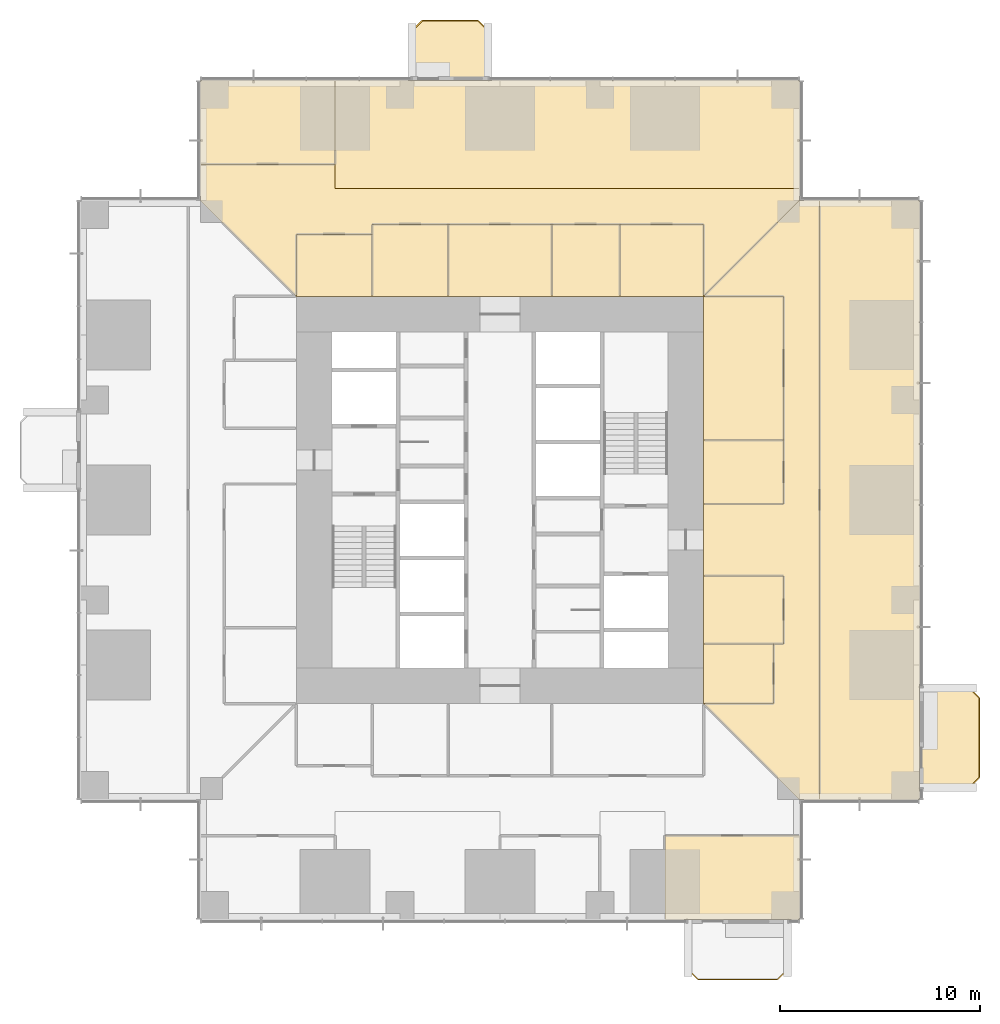
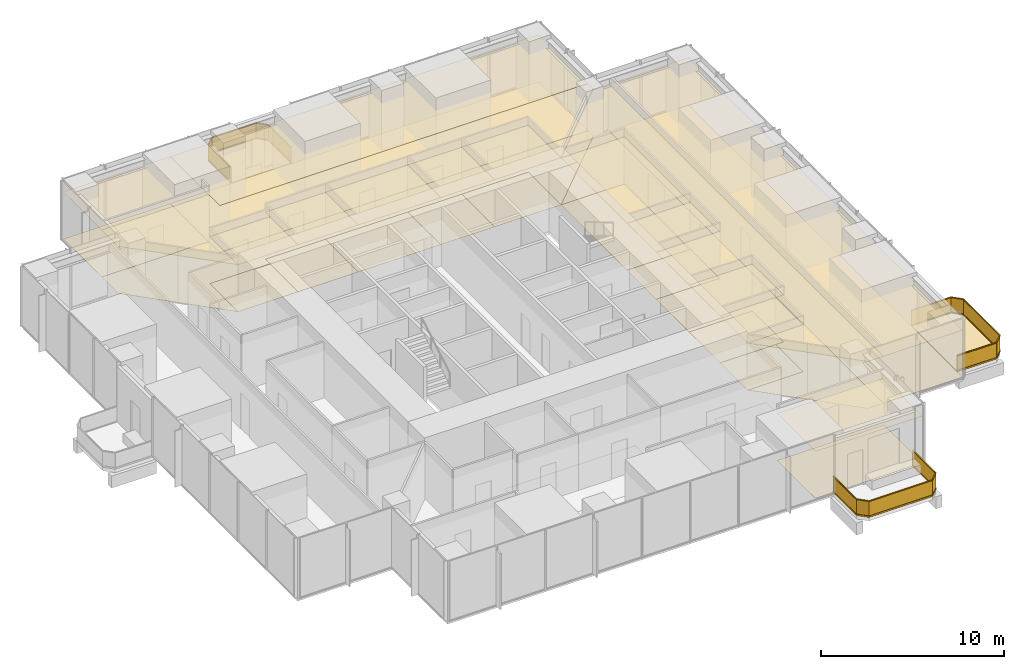
# One storey, part 14 of 15: 32 coverings, 3 railings.
"""IFC4 building model written with IfcOpenShell, lengths in metres."""

from ifc_helpers import new_model, si_unit, direction, frame, origin, origin_2d, place, context, subcontext, project, spatial, polyline, rectangle, outline, extrude, material, layer, layer_set, type_object, element, save


model = new_model("IFC4")

# Units and contexts
model_context = context("Model", 3, precision=1e-05, world=origin(), true_north=direction((0.0, 1.0)))
body_context = subcontext(model_context, "Body", "Model", "MODEL_VIEW")
ifc_project = project(units=[si_unit("LENGTHUNIT", "METRE"), si_unit("AREAUNIT", "SQUARE_METRE"), si_unit("VOLUMEUNIT", "CUBIC_METRE"), si_unit("PLANEANGLEUNIT", "RADIAN"), si_unit("MASSUNIT", "GRAM", prefix="KILO")], contexts=[model_context])

# Site, building, storey
site_placement = place(None, origin())
site = spatial("IfcSite", under=ifc_project, at=site_placement, CompositionType="ELEMENT")
building_placement = place(site_placement, origin())
building = spatial("IfcBuilding", under=site, at=building_placement, Name="Svetlomir Tower", CompositionType="ELEMENT")
storey_placement = place(building_placement, frame((0.0, 0.0, 26.5)))
storey = spatial("IfcBuildingStorey", under=building, at=storey_placement, Name="L05", CompositionType="ELEMENT", Elevation=26.5)

# Railings
ifc_material_1 = material(Name="Bronze anodised aluminium and laminated glass", Category="aluminium")
railing_type = type_object("IfcRailingType", Name="BALCONY GUARD GR1 1100", PredefinedType="GUARDRAIL", material=ifc_material_1)
railing_1_placement = place(storey_placement, frame((30.39990234375, 0.0, 0.0)))
element("IfcRailing", 1, at=railing_1_placement, inside=storey, type_object=railing_type, Name="Balcony guard S L05", PredefinedType="GUARDRAIL", context=body_context, shape_type="SweptSolid", body=[
    extrude(rectangle(XDim=0.06005859375, YDim=0.10009765625, at=origin_2d()), frame((0.0, 0.0, 0.050048828125), z_axis=(0.0, -1.0, 0.0), x_axis=(1.0, 0.0, 0.0)), (0.0, 0.0, 1.0), 2.5),
    extrude(rectangle(XDim=0.021484375, YDim=0.960205078125, at=origin_2d()), frame((0.0, 0.0, 0.580078125), z_axis=(0.0, -1.0, 0.0), x_axis=(1.0, 0.0, 0.0)), (0.0, 0.0, 1.0), 2.5),
    extrude(rectangle(XDim=0.06005859375, YDim=0.0400390625, at=origin_2d()), frame((0.0, 0.0, 1.080078125), z_axis=(0.0, -1.0, 0.0), x_axis=(1.0, 0.0, 0.0)), (0.0, 0.0, 1.0), 2.5),
    extrude(rectangle(XDim=0.06005859375, YDim=0.10009765625, at=origin_2d()), frame((0.0, -2.5, 0.050048828125), z_axis=(0.707106781187, -0.707106781187, 0.0), x_axis=(0.707106781187, 0.707106781187, 0.0)), (0.0, 0.0, 1.0), 0.70703125),
    extrude(rectangle(XDim=0.021484375, YDim=0.960205078125, at=origin_2d()), frame((0.0, -2.5, 0.580078125), z_axis=(0.707106781187, -0.707106781187, 0.0), x_axis=(0.707106781187, 0.707106781187, 0.0)), (0.0, 0.0, 1.0), 0.70703125),
    extrude(rectangle(XDim=0.06005859375, YDim=0.0400390625, at=origin_2d()), frame((0.0, -2.5, 1.080078125), z_axis=(0.707106781187, -0.707106781187, 0.0), x_axis=(0.707106781187, 0.707106781187, 0.0)), (0.0, 0.0, 1.0), 0.70703125),
    extrude(rectangle(XDim=0.06005859375, YDim=0.10009765625, at=origin_2d()), frame((0.5, -3.0, 0.050048828125), z_axis=(1.0, 0.0, 0.0), x_axis=(0.0, 1.0, 0.0)), (0.0, 0.0, 1.0), 4.0),
    extrude(rectangle(XDim=0.021484375, YDim=0.960205078125, at=origin_2d()), frame((0.5, -3.0, 0.580078125), z_axis=(1.0, 0.0, 0.0), x_axis=(0.0, 1.0, 0.0)), (0.0, 0.0, 1.0), 4.0),
    extrude(rectangle(XDim=0.06005859375, YDim=0.0400390625, at=origin_2d()), frame((0.5, -3.0, 1.080078125), z_axis=(1.0, 0.0, 0.0), x_axis=(0.0, 1.0, 0.0)), (0.0, 0.0, 1.0), 4.0),
    extrude(rectangle(XDim=0.06005859375, YDim=0.10009765625, at=origin_2d()), frame((4.5, -3.0, 0.050048828125), z_axis=(0.707106781187, 0.707106781187, 0.0), x_axis=(-0.707106781187, 0.707106781187, 0.0)), (0.0, 0.0, 1.0), 0.70703125),
    extrude(rectangle(XDim=0.021484375, YDim=0.960205078125, at=origin_2d()), frame((4.5, -3.0, 0.580078125), z_axis=(0.707106781187, 0.707106781187, 0.0), x_axis=(-0.707106781187, 0.707106781187, 0.0)), (0.0, 0.0, 1.0), 0.70703125),
    extrude(rectangle(XDim=0.06005859375, YDim=0.0400390625, at=origin_2d()), frame((4.5, -3.0, 1.080078125), z_axis=(0.707106781187, 0.707106781187, 0.0), x_axis=(-0.707106781187, 0.707106781187, 0.0)), (0.0, 0.0, 1.0), 0.70703125),
    extrude(rectangle(XDim=0.06005859375, YDim=0.10009765625, at=origin_2d()), frame((5.0, -2.5, 0.050048828125), z_axis=(0.0, 1.0, 0.0), x_axis=(-1.0, 0.0, 0.0)), (0.0, 0.0, 1.0), 2.5),
    extrude(rectangle(XDim=0.021484375, YDim=0.960205078125, at=origin_2d()), frame((5.0, -2.5, 0.580078125), z_axis=(0.0, 1.0, 0.0), x_axis=(-1.0, 0.0, 0.0)), (0.0, 0.0, 1.0), 2.5),
    extrude(rectangle(XDim=0.06005859375, YDim=0.0400390625, at=origin_2d()), frame((5.0, -2.5, 1.080078125), z_axis=(0.0, 1.0, 0.0), x_axis=(-1.0, 0.0, 0.0)), (0.0, 0.0, 1.0), 2.5),
])
railing_2_placement = place(storey_placement, frame((42.0, 6.60009765625, 0.0)))
element("IfcRailing", 2, at=railing_2_placement, inside=storey, type_object=railing_type, Name="Balcony guard E L05", PredefinedType="GUARDRAIL", context=body_context, shape_type="SweptSolid", body=[
    extrude(rectangle(XDim=0.06005859375, YDim=0.10009765625, at=origin_2d()), frame((0.0, 0.0, 0.050048828125), z_axis=(1.0, 0.0, 0.0), x_axis=(0.0, 1.0, 0.0)), (0.0, 0.0, 1.0), 2.5),
    extrude(rectangle(XDim=0.021484375, YDim=0.960205078125, at=origin_2d()), frame((0.0, 0.0, 0.580078125), z_axis=(1.0, 0.0, 0.0), x_axis=(0.0, 1.0, 0.0)), (0.0, 0.0, 1.0), 2.5),
    extrude(rectangle(XDim=0.06005859375, YDim=0.0400390625, at=origin_2d()), frame((0.0, 0.0, 1.080078125), z_axis=(1.0, 0.0, 0.0), x_axis=(0.0, 1.0, 0.0)), (0.0, 0.0, 1.0), 2.5),
    extrude(rectangle(XDim=0.06005859375, YDim=0.10009765625, at=origin_2d()), frame((2.5, 0.0, 0.050048828125), z_axis=(0.707106781187, 0.707106781187, 0.0), x_axis=(-0.707106781187, 0.707106781187, 0.0)), (0.0, 0.0, 1.0), 0.70703125),
    extrude(rectangle(XDim=0.021484375, YDim=0.960205078125, at=origin_2d()), frame((2.5, 0.0, 0.580078125), z_axis=(0.707106781187, 0.707106781187, 0.0), x_axis=(-0.707106781187, 0.707106781187, 0.0)), (0.0, 0.0, 1.0), 0.70703125),
    extrude(rectangle(XDim=0.06005859375, YDim=0.0400390625, at=origin_2d()), frame((2.5, 0.0, 1.080078125), z_axis=(0.707106781187, 0.707106781187, 0.0), x_axis=(-0.707106781187, 0.707106781187, 0.0)), (0.0, 0.0, 1.0), 0.70703125),
    extrude(rectangle(XDim=0.06005859375, YDim=0.10009765625, at=origin_2d()), frame((3.0, 0.5, 0.050048828125), z_axis=(0.0, 1.0, 0.0), x_axis=(-1.0, 0.0, 0.0)), (0.0, 0.0, 1.0), 4.0),
    extrude(rectangle(XDim=0.021484375, YDim=0.960205078125, at=origin_2d()), frame((3.0, 0.5, 0.580078125), z_axis=(0.0, 1.0, 0.0), x_axis=(-1.0, 0.0, 0.0)), (0.0, 0.0, 1.0), 4.0),
    extrude(rectangle(XDim=0.06005859375, YDim=0.0400390625, at=origin_2d()), frame((3.0, 0.5, 1.080078125), z_axis=(0.0, 1.0, 0.0), x_axis=(-1.0, 0.0, 0.0)), (0.0, 0.0, 1.0), 4.0),
    extrude(rectangle(XDim=0.06005859375, YDim=0.10009765625, at=origin_2d()), frame((3.0, 4.5, 0.050048828125), z_axis=(-0.707106781187, 0.707106781187, 0.0), x_axis=(-0.707106781187, -0.707106781187, 0.0)), (0.0, 0.0, 1.0), 0.70703125),
    extrude(rectangle(XDim=0.021484375, YDim=0.960205078125, at=origin_2d()), frame((3.0, 4.5, 0.580078125), z_axis=(-0.707106781187, 0.707106781187, 0.0), x_axis=(-0.707106781187, -0.707106781187, 0.0)), (0.0, 0.0, 1.0), 0.70703125),
    extrude(rectangle(XDim=0.06005859375, YDim=0.0400390625, at=origin_2d()), frame((3.0, 4.5, 1.080078125), z_axis=(-0.707106781187, 0.707106781187, 0.0), x_axis=(-0.707106781187, -0.707106781187, 0.0)), (0.0, 0.0, 1.0), 0.70703125),
    extrude(rectangle(XDim=0.06005859375, YDim=0.10009765625, at=origin_2d()), frame((2.5, 5.0, 0.050048828125), z_axis=(-1.0, 0.0, 0.0), x_axis=(0.0, -1.0, 0.0)), (0.0, 0.0, 1.0), 2.5),
    extrude(rectangle(XDim=0.021484375, YDim=0.960205078125, at=origin_2d()), frame((2.5, 5.0, 0.580078125), z_axis=(-1.0, 0.0, 0.0), x_axis=(0.0, -1.0, 0.0)), (0.0, 0.0, 1.0), 2.5),
    extrude(rectangle(XDim=0.06005859375, YDim=0.0400390625, at=origin_2d()), frame((2.5, 5.0, 1.080078125), z_axis=(-1.0, 0.0, 0.0), x_axis=(0.0, -1.0, 0.0)), (0.0, 0.0, 1.0), 2.5),
])
railing_3_placement = place(storey_placement, frame((20.39990234375, 42.0, 0.0)))
element("IfcRailing", 3, at=railing_3_placement, inside=storey, type_object=railing_type, Name="Balcony guard N L05", PredefinedType="GUARDRAIL", context=body_context, shape_type="SweptSolid", body=[
    extrude(rectangle(XDim=0.06005859375, YDim=0.10009765625, at=origin_2d()), frame((0.0, 0.0, 0.050048828125), z_axis=(0.0, 1.0, 0.0), x_axis=(-1.0, 0.0, 0.0)), (0.0, 0.0, 1.0), 2.5),
    extrude(rectangle(XDim=0.021484375, YDim=0.960205078125, at=origin_2d()), frame((0.0, 0.0, 0.580078125), z_axis=(0.0, 1.0, 0.0), x_axis=(-1.0, 0.0, 0.0)), (0.0, 0.0, 1.0), 2.5),
    extrude(rectangle(XDim=0.06005859375, YDim=0.0400390625, at=origin_2d()), frame((0.0, 0.0, 1.080078125), z_axis=(0.0, 1.0, 0.0), x_axis=(-1.0, 0.0, 0.0)), (0.0, 0.0, 1.0), 2.5),
    extrude(rectangle(XDim=0.06005859375, YDim=0.10009765625, at=origin_2d()), frame((0.0, 2.5, 0.050048828125), z_axis=(-0.707106781187, 0.707106781187, 0.0), x_axis=(-0.707106781187, -0.707106781187, 0.0)), (0.0, 0.0, 1.0), 0.70703125),
    extrude(rectangle(XDim=0.021484375, YDim=0.960205078125, at=origin_2d()), frame((0.0, 2.5, 0.580078125), z_axis=(-0.707106781187, 0.707106781187, 0.0), x_axis=(-0.707106781187, -0.707106781187, 0.0)), (0.0, 0.0, 1.0), 0.70703125),
    extrude(rectangle(XDim=0.06005859375, YDim=0.0400390625, at=origin_2d()), frame((0.0, 2.5, 1.080078125), z_axis=(-0.707106781187, 0.707106781187, 0.0), x_axis=(-0.707106781187, -0.707106781187, 0.0)), (0.0, 0.0, 1.0), 0.70703125),
    extrude(rectangle(XDim=0.06005859375, YDim=0.10009765625, at=origin_2d()), frame((-0.5, 3.0, 0.050048828125), z_axis=(-1.0, 0.0, 0.0), x_axis=(0.0, -1.0, 0.0)), (0.0, 0.0, 1.0), 2.7998046875),
    extrude(rectangle(XDim=0.021484375, YDim=0.960205078125, at=origin_2d()), frame((-0.5, 3.0, 0.580078125), z_axis=(-1.0, 0.0, 0.0), x_axis=(0.0, -1.0, 0.0)), (0.0, 0.0, 1.0), 2.7998046875),
    extrude(rectangle(XDim=0.06005859375, YDim=0.0400390625, at=origin_2d()), frame((-0.5, 3.0, 1.080078125), z_axis=(-1.0, 0.0, 0.0), x_axis=(0.0, -1.0, 0.0)), (0.0, 0.0, 1.0), 2.7998046875),
    extrude(rectangle(XDim=0.06005859375, YDim=0.10009765625, at=origin_2d()), frame((-3.2998046875, 3.0, 0.050048828125), z_axis=(-0.707106781187, -0.707106781187, 0.0), x_axis=(0.707106781187, -0.707106781187, 0.0)), (0.0, 0.0, 1.0), 0.70703125),
    extrude(rectangle(XDim=0.021484375, YDim=0.960205078125, at=origin_2d()), frame((-3.2998046875, 3.0, 0.580078125), z_axis=(-0.707106781187, -0.707106781187, 0.0), x_axis=(0.707106781187, -0.707106781187, 0.0)), (0.0, 0.0, 1.0), 0.70703125),
    extrude(rectangle(XDim=0.06005859375, YDim=0.0400390625, at=origin_2d()), frame((-3.2998046875, 3.0, 1.080078125), z_axis=(-0.707106781187, -0.707106781187, 0.0), x_axis=(0.707106781187, -0.707106781187, 0.0)), (0.0, 0.0, 1.0), 0.70703125),
    extrude(rectangle(XDim=0.06005859375, YDim=0.10009765625, at=origin_2d()), frame((-3.7998046875, 2.5, 0.050048828125), z_axis=(0.0, -1.0, 0.0), x_axis=(1.0, 0.0, 0.0)), (0.0, 0.0, 1.0), 2.5),
    extrude(rectangle(XDim=0.021484375, YDim=0.960205078125, at=origin_2d()), frame((-3.7998046875, 2.5, 0.580078125), z_axis=(0.0, -1.0, 0.0), x_axis=(1.0, 0.0, 0.0)), (0.0, 0.0, 1.0), 2.5),
    extrude(rectangle(XDim=0.06005859375, YDim=0.0400390625, at=origin_2d()), frame((-3.7998046875, 2.5, 1.080078125), z_axis=(0.0, -1.0, 0.0), x_axis=(1.0, 0.0, 0.0)), (0.0, 0.0, 1.0), 2.5),
])

# Coverings
ifc_material_2 = material(Name="Granite paving slabs on pedestals", Category="masonry")
ifc_layer_1 = layer(ifc_material_2, 0.0400390625)
ifc_layer_set_1 = layer_set([ifc_layer_1], Name="Granite paving slabs on pedestals")
covering_type_1 = type_object("IfcCoveringType", Name="BALCONY PAVING 40", PredefinedType="USERDEFINED", material=ifc_layer_set_1)
covering_1_placement = place(storey_placement, origin())
element("IfcCovering", 4, at=covering_1_placement, inside=storey, type_object=covering_type_1, Name="Balcony paving E L05", ObjectType="BALCONY PAVING", PredefinedType="USERDEFINED", context=body_context, shape_type="SweptSolid", body=[
    extrude(outline(polyline([(42.0, 6.60009765625), (44.5, 6.60009765625), (45.0, 7.10009765625), (45.0, 11.10009765625), (44.5, 11.60009765625), (42.0, 11.60009765625), (42.0, 6.60009765625)])), origin(), (0.0, 0.0, 1.0), 0.0400390625),
])
covering_2_placement = place(storey_placement, origin())
element("IfcCovering", 5, at=covering_2_placement, inside=storey, type_object=covering_type_1, Name="Balcony paving N L05", ObjectType="BALCONY PAVING", PredefinedType="USERDEFINED", context=body_context, shape_type="SweptSolid", body=[
    extrude(outline(polyline([(16.60009765625, 42.0), (20.39990234375, 42.0), (20.39990234375, 44.5), (19.89990234375, 45.0), (17.10009765625, 45.0), (16.60009765625, 44.5), (16.60009765625, 42.0)])), origin(), (0.0, 0.0, 1.0), 0.0400390625),
])
ifc_material_3 = material(Name="Carpet tile", Category="textile")
ifc_layer_2 = layer(ifc_material_3, 0.010009765625)
ifc_layer_set_2 = layer_set([ifc_layer_2], Name="Carpet tile")
covering_type_2 = type_object("IfcCoveringType", Name="CARPET TILE FLOOR 10", PredefinedType="FLOORING", material=ifc_layer_set_2)
covering_3_placement = place(storey_placement, origin())
element("IfcCovering", 6, at=covering_3_placement, inside=storey, type_object=covering_type_2, Name="Floor finish L05-19", PredefinedType="FLOORING", context=body_context, shape_type="SweptSolid", body=[
    extrude(outline(polyline([(29.25, 0.0), (36.0, 0.0), (36.0, 4.199951171875), (29.25, 4.199951171875), (29.25, 0.0)])), origin(), (0.0, 0.0, 1.0), 0.010009765625),
])
covering_4_placement = place(storey_placement, origin())
element("IfcCovering", 7, at=covering_4_placement, inside=storey, type_object=covering_type_2, Name="Floor finish L05-20", PredefinedType="FLOORING", context=body_context, shape_type="SweptSolid", body=[
    extrude(outline(polyline([(31.199951171875, 10.800048828125), (34.699951171875, 10.800048828125), (34.699951171875, 13.800048828125), (31.199951171875, 13.800048828125), (31.199951171875, 10.800048828125)])), origin(), (0.0, 0.0, 1.0), 0.010009765625),
])
covering_5_placement = place(storey_placement, origin())
element("IfcCovering", 8, at=covering_5_placement, inside=storey, type_object=covering_type_2, Name="Floor finish L05-21", PredefinedType="FLOORING", context=body_context, shape_type="SweptSolid", body=[
    extrude(outline(polyline([(31.199951171875, 13.800048828125), (35.199951171875, 13.800048828125), (35.199951171875, 17.199951171875), (31.199951171875, 17.199951171875), (31.199951171875, 13.800048828125)])), origin(), (0.0, 0.0, 1.0), 0.010009765625),
])
covering_6_placement = place(storey_placement, origin())
element("IfcCovering", 9, at=covering_6_placement, inside=storey, type_object=covering_type_2, Name="Floor finish L05-22", PredefinedType="FLOORING", context=body_context, shape_type="SweptSolid", body=[
    extrude(outline(polyline([(31.199951171875, 20.800048828125), (35.199951171875, 20.800048828125), (35.199951171875, 24.0), (31.199951171875, 24.0), (31.199951171875, 20.800048828125)])), origin(), (0.0, 0.0, 1.0), 0.010009765625),
])
covering_7_placement = place(storey_placement, origin())
element("IfcCovering", 10, at=covering_7_placement, inside=storey, type_object=covering_type_2, Name="Floor finish L05-23", PredefinedType="FLOORING", context=body_context, shape_type="SweptSolid", body=[
    extrude(outline(polyline([(31.199951171875, 24.0), (35.199951171875, 24.0), (35.199951171875, 31.199951171875), (31.199951171875, 31.199951171875), (31.199951171875, 24.0)])), origin(), (0.0, 0.0, 1.0), 0.010009765625),
])
covering_8_placement = place(storey_placement, origin())
element("IfcCovering", 11, at=covering_8_placement, inside=storey, type_object=covering_type_2, Name="Floor finish L05-24", PredefinedType="FLOORING", context=body_context, shape_type="SweptSolid", body=[
    extrude(outline(polyline([(10.800048828125, 31.199951171875), (14.60009765625, 31.199951171875), (14.60009765625, 34.300048828125), (10.800048828125, 34.300048828125), (10.800048828125, 31.199951171875)])), origin(), (0.0, 0.0, 1.0), 0.010009765625),
])
covering_9_placement = place(storey_placement, origin())
element("IfcCovering", 12, at=covering_9_placement, inside=storey, type_object=covering_type_2, Name="Floor finish L05-25", PredefinedType="FLOORING", context=body_context, shape_type="SweptSolid", body=[
    extrude(outline(polyline([(14.60009765625, 31.199951171875), (18.39990234375, 31.199951171875), (18.39990234375, 34.800048828125), (14.60009765625, 34.800048828125), (14.60009765625, 31.199951171875)])), origin(), (0.0, 0.0, 1.0), 0.010009765625),
])
covering_10_placement = place(storey_placement, origin())
element("IfcCovering", 13, at=covering_10_placement, inside=storey, type_object=covering_type_2, Name="Floor finish L05-26", PredefinedType="FLOORING", context=body_context, shape_type="SweptSolid", body=[
    extrude(outline(polyline([(23.60009765625, 31.199951171875), (27.0, 31.199951171875), (27.0, 34.800048828125), (23.60009765625, 34.800048828125), (23.60009765625, 31.199951171875)])), origin(), (0.0, 0.0, 1.0), 0.010009765625),
])
covering_11_placement = place(storey_placement, origin())
element("IfcCovering", 14, at=covering_11_placement, inside=storey, type_object=covering_type_2, Name="Floor finish L05-27", PredefinedType="FLOORING", context=body_context, shape_type="SweptSolid", body=[
    extrude(outline(polyline([(27.0, 31.199951171875), (31.199951171875, 31.199951171875), (31.199951171875, 34.800048828125), (27.0, 34.800048828125), (27.0, 31.199951171875)])), origin(), (0.0, 0.0, 1.0), 0.010009765625),
])
covering_12_placement = place(storey_placement, origin())
element("IfcCovering", 15, at=covering_12_placement, inside=storey, type_object=covering_type_2, Name="Floor finish L05-28", PredefinedType="FLOORING", context=body_context, shape_type="SweptSolid", body=[
    extrude(outline(polyline([(6.0, 37.800048828125), (12.75, 37.800048828125), (12.75, 42.0), (6.0, 42.0), (6.0, 37.800048828125)])), origin(), (0.0, 0.0, 1.0), 0.010009765625),
])
covering_13_placement = place(storey_placement, origin())
element("IfcCovering", 16, at=covering_13_placement, inside=storey, type_object=covering_type_2, Name="Floor finish L05-33", PredefinedType="FLOORING", context=body_context, shape_type="SweptSolid", body=[
    extrude(outline(polyline([(31.199951171875, 31.199951171875), (36.0, 36.0), (37.0, 36.0), (37.0, 6.0), (36.0, 6.0), (31.199951171875, 10.800048828125), (34.699951171875, 10.800048828125), (34.699951171875, 13.800048828125), (35.199951171875, 13.800048828125), (35.199951171875, 17.199951171875), (31.199951171875, 17.199951171875), (31.199951171875, 20.800048828125), (35.199951171875, 20.800048828125), (35.199951171875, 31.199951171875), (31.199951171875, 31.199951171875)])), origin(), (0.0, 0.0, 1.0), 0.010009765625),
])
covering_14_placement = place(storey_placement, origin())
element("IfcCovering", 17, at=covering_14_placement, inside=storey, type_object=covering_type_2, Name="Floor finish L05-34", PredefinedType="FLOORING", context=body_context, shape_type="SweptSolid", body=[
    extrude(outline(polyline([(6.0, 37.800048828125), (12.75, 37.800048828125), (12.75, 36.60009765625), (36.0, 36.60009765625), (36.0, 36.0), (31.199951171875, 31.199951171875), (31.199951171875, 34.800048828125), (14.60009765625, 34.800048828125), (14.60009765625, 34.300048828125), (10.800048828125, 34.300048828125), (10.800048828125, 31.199951171875), (6.0, 36.0), (6.0, 37.800048828125)])), origin(), (0.0, 0.0, 1.0), 0.010009765625),
])
covering_15_placement = place(storey_placement, origin())
element("IfcCovering", 18, at=covering_15_placement, inside=storey, type_object=covering_type_2, Name="Floor finish L05-39", PredefinedType="FLOORING", context=body_context, shape_type="SweptSolid", body=[
    extrude(outline(polyline([(42.0, 6.0), (37.0, 6.0), (37.0, 36.0), (42.0, 36.0), (42.0, 6.0)])), origin(), (0.0, 0.0, 1.0), 0.010009765625),
])
covering_16_placement = place(storey_placement, origin())
element("IfcCovering", 19, at=covering_16_placement, inside=storey, type_object=covering_type_2, Name="Floor finish L05-40", PredefinedType="FLOORING", context=body_context, shape_type="SweptSolid", body=[
    extrude(outline(polyline([(36.0, 42.0), (36.0, 36.60009765625), (12.75, 36.60009765625), (12.75, 42.0), (36.0, 42.0)])), origin(), (0.0, 0.0, 1.0), 0.010009765625),
])
covering_17_placement = place(storey_placement, origin())
element("IfcCovering", 20, at=covering_17_placement, inside=storey, type_object=covering_type_2, Name="Floor finish L05-41", PredefinedType="FLOORING", context=body_context, shape_type="SweptSolid", body=[
    extrude(outline(polyline([(18.39990234375, 31.199951171875), (18.39990234375, 34.800048828125), (23.60009765625, 34.800048828125), (23.60009765625, 31.199951171875), (18.39990234375, 31.199951171875)])), origin(), (0.0, 0.0, 1.0), 0.010009765625),
])
ifc_material_4 = material(Name="Mineral fibre ceiling tile", Category="mineral")
ifc_layer_3 = layer(ifc_material_4, 0.02001953125)
ifc_layer_set_3 = layer_set([ifc_layer_3], Name="Mineral fibre ceiling tile")
covering_type_3 = type_object("IfcCoveringType", Name="SUSPENDED CEILING 20", PredefinedType="CEILING", material=ifc_layer_set_3)
covering_18_placement = place(storey_placement, frame((0.0, 0.0, 3.1298828125)))
element("IfcCovering", 21, at=covering_18_placement, inside=storey, type_object=covering_type_3, Name="Ceiling L05-19", PredefinedType="CEILING", context=body_context, shape_type="SweptSolid", body=[
    extrude(outline(polyline([(29.25, 0.0), (36.0, 0.0), (36.0, 4.199951171875), (29.25, 4.199951171875), (29.25, 0.0)])), origin(), (0.0, 0.0, 1.0), 0.02001953125),
])
covering_19_placement = place(storey_placement, frame((0.0, 0.0, 3.1298828125)))
element("IfcCovering", 22, at=covering_19_placement, inside=storey, type_object=covering_type_3, Name="Ceiling L05-20", PredefinedType="CEILING", context=body_context, shape_type="SweptSolid", body=[
    extrude(outline(polyline([(31.199951171875, 10.800048828125), (34.699951171875, 10.800048828125), (34.699951171875, 13.800048828125), (31.199951171875, 13.800048828125), (31.199951171875, 10.800048828125)])), origin(), (0.0, 0.0, 1.0), 0.02001953125),
])
covering_20_placement = place(storey_placement, frame((0.0, 0.0, 3.1298828125)))
element("IfcCovering", 23, at=covering_20_placement, inside=storey, type_object=covering_type_3, Name="Ceiling L05-21", PredefinedType="CEILING", context=body_context, shape_type="SweptSolid", body=[
    extrude(outline(polyline([(31.199951171875, 13.800048828125), (35.199951171875, 13.800048828125), (35.199951171875, 17.199951171875), (31.199951171875, 17.199951171875), (31.199951171875, 13.800048828125)])), origin(), (0.0, 0.0, 1.0), 0.02001953125),
])
covering_21_placement = place(storey_placement, frame((0.0, 0.0, 3.1298828125)))
element("IfcCovering", 24, at=covering_21_placement, inside=storey, type_object=covering_type_3, Name="Ceiling L05-22", PredefinedType="CEILING", context=body_context, shape_type="SweptSolid", body=[
    extrude(outline(polyline([(31.199951171875, 20.800048828125), (35.199951171875, 20.800048828125), (35.199951171875, 24.0), (31.199951171875, 24.0), (31.199951171875, 20.800048828125)])), origin(), (0.0, 0.0, 1.0), 0.02001953125),
])
covering_22_placement = place(storey_placement, frame((0.0, 0.0, 3.1298828125)))
element("IfcCovering", 25, at=covering_22_placement, inside=storey, type_object=covering_type_3, Name="Ceiling L05-23", PredefinedType="CEILING", context=body_context, shape_type="SweptSolid", body=[
    extrude(outline(polyline([(31.199951171875, 24.0), (35.199951171875, 24.0), (35.199951171875, 31.199951171875), (31.199951171875, 31.199951171875), (31.199951171875, 24.0)])), origin(), (0.0, 0.0, 1.0), 0.02001953125),
])
covering_23_placement = place(storey_placement, frame((0.0, 0.0, 3.1298828125)))
element("IfcCovering", 26, at=covering_23_placement, inside=storey, type_object=covering_type_3, Name="Ceiling L05-24", PredefinedType="CEILING", context=body_context, shape_type="SweptSolid", body=[
    extrude(outline(polyline([(10.800048828125, 31.199951171875), (14.60009765625, 31.199951171875), (14.60009765625, 34.300048828125), (10.800048828125, 34.300048828125), (10.800048828125, 31.199951171875)])), origin(), (0.0, 0.0, 1.0), 0.02001953125),
])
covering_24_placement = place(storey_placement, frame((0.0, 0.0, 3.1298828125)))
element("IfcCovering", 27, at=covering_24_placement, inside=storey, type_object=covering_type_3, Name="Ceiling L05-25", PredefinedType="CEILING", context=body_context, shape_type="SweptSolid", body=[
    extrude(outline(polyline([(14.60009765625, 31.199951171875), (18.39990234375, 31.199951171875), (18.39990234375, 34.800048828125), (14.60009765625, 34.800048828125), (14.60009765625, 31.199951171875)])), origin(), (0.0, 0.0, 1.0), 0.02001953125),
])
covering_25_placement = place(storey_placement, frame((0.0, 0.0, 3.1298828125)))
element("IfcCovering", 28, at=covering_25_placement, inside=storey, type_object=covering_type_3, Name="Ceiling L05-26", PredefinedType="CEILING", context=body_context, shape_type="SweptSolid", body=[
    extrude(outline(polyline([(23.60009765625, 31.199951171875), (27.0, 31.199951171875), (27.0, 34.800048828125), (23.60009765625, 34.800048828125), (23.60009765625, 31.199951171875)])), origin(), (0.0, 0.0, 1.0), 0.02001953125),
])
covering_26_placement = place(storey_placement, frame((0.0, 0.0, 3.1298828125)))
element("IfcCovering", 29, at=covering_26_placement, inside=storey, type_object=covering_type_3, Name="Ceiling L05-27", PredefinedType="CEILING", context=body_context, shape_type="SweptSolid", body=[
    extrude(outline(polyline([(27.0, 31.199951171875), (31.199951171875, 31.199951171875), (31.199951171875, 34.800048828125), (27.0, 34.800048828125), (27.0, 31.199951171875)])), origin(), (0.0, 0.0, 1.0), 0.02001953125),
])
covering_27_placement = place(storey_placement, frame((0.0, 0.0, 3.1298828125)))
element("IfcCovering", 30, at=covering_27_placement, inside=storey, type_object=covering_type_3, Name="Ceiling L05-28", PredefinedType="CEILING", context=body_context, shape_type="SweptSolid", body=[
    extrude(outline(polyline([(6.0, 37.800048828125), (12.75, 37.800048828125), (12.75, 42.0), (6.0, 42.0), (6.0, 37.800048828125)])), origin(), (0.0, 0.0, 1.0), 0.02001953125),
])
covering_28_placement = place(storey_placement, frame((0.0, 0.0, 3.1298828125)))
element("IfcCovering", 31, at=covering_28_placement, inside=storey, type_object=covering_type_3, Name="Ceiling L05-33", PredefinedType="CEILING", context=body_context, shape_type="SweptSolid", body=[
    extrude(outline(polyline([(31.199951171875, 31.199951171875), (36.0, 36.0), (37.0, 36.0), (37.0, 6.0), (36.0, 6.0), (31.199951171875, 10.800048828125), (34.699951171875, 10.800048828125), (34.699951171875, 13.800048828125), (35.199951171875, 13.800048828125), (35.199951171875, 17.199951171875), (31.199951171875, 17.199951171875), (31.199951171875, 20.800048828125), (35.199951171875, 20.800048828125), (35.199951171875, 31.199951171875), (31.199951171875, 31.199951171875)])), origin(), (0.0, 0.0, 1.0), 0.02001953125),
])
covering_29_placement = place(storey_placement, frame((0.0, 0.0, 3.1298828125)))
element("IfcCovering", 32, at=covering_29_placement, inside=storey, type_object=covering_type_3, Name="Ceiling L05-34", PredefinedType="CEILING", context=body_context, shape_type="SweptSolid", body=[
    extrude(outline(polyline([(6.0, 37.800048828125), (12.75, 37.800048828125), (12.75, 36.60009765625), (36.0, 36.60009765625), (36.0, 36.0), (31.199951171875, 31.199951171875), (31.199951171875, 34.800048828125), (14.60009765625, 34.800048828125), (14.60009765625, 34.300048828125), (10.800048828125, 34.300048828125), (10.800048828125, 31.199951171875), (6.0, 36.0), (6.0, 37.800048828125)])), origin(), (0.0, 0.0, 1.0), 0.02001953125),
])
covering_30_placement = place(storey_placement, frame((0.0, 0.0, 3.1298828125)))
element("IfcCovering", 33, at=covering_30_placement, inside=storey, type_object=covering_type_3, Name="Ceiling L05-39", PredefinedType="CEILING", context=body_context, shape_type="SweptSolid", body=[
    extrude(outline(polyline([(42.0, 6.0), (37.0, 6.0), (37.0, 36.0), (42.0, 36.0), (42.0, 6.0)])), origin(), (0.0, 0.0, 1.0), 0.02001953125),
])
covering_31_placement = place(storey_placement, frame((0.0, 0.0, 3.1298828125)))
element("IfcCovering", 34, at=covering_31_placement, inside=storey, type_object=covering_type_3, Name="Ceiling L05-40", PredefinedType="CEILING", context=body_context, shape_type="SweptSolid", body=[
    extrude(outline(polyline([(36.0, 42.0), (36.0, 36.60009765625), (12.75, 36.60009765625), (12.75, 42.0), (36.0, 42.0)])), origin(), (0.0, 0.0, 1.0), 0.02001953125),
])
covering_32_placement = place(storey_placement, frame((0.0, 0.0, 3.1298828125)))
element("IfcCovering", 35, at=covering_32_placement, inside=storey, type_object=covering_type_3, Name="Ceiling L05-41", PredefinedType="CEILING", context=body_context, shape_type="SweptSolid", body=[
    extrude(outline(polyline([(18.39990234375, 31.199951171875), (18.39990234375, 34.800048828125), (23.60009765625, 34.800048828125), (23.60009765625, 31.199951171875), (18.39990234375, 31.199951171875)])), origin(), (0.0, 0.0, 1.0), 0.02001953125),
])

save(model, "model.ifc")
